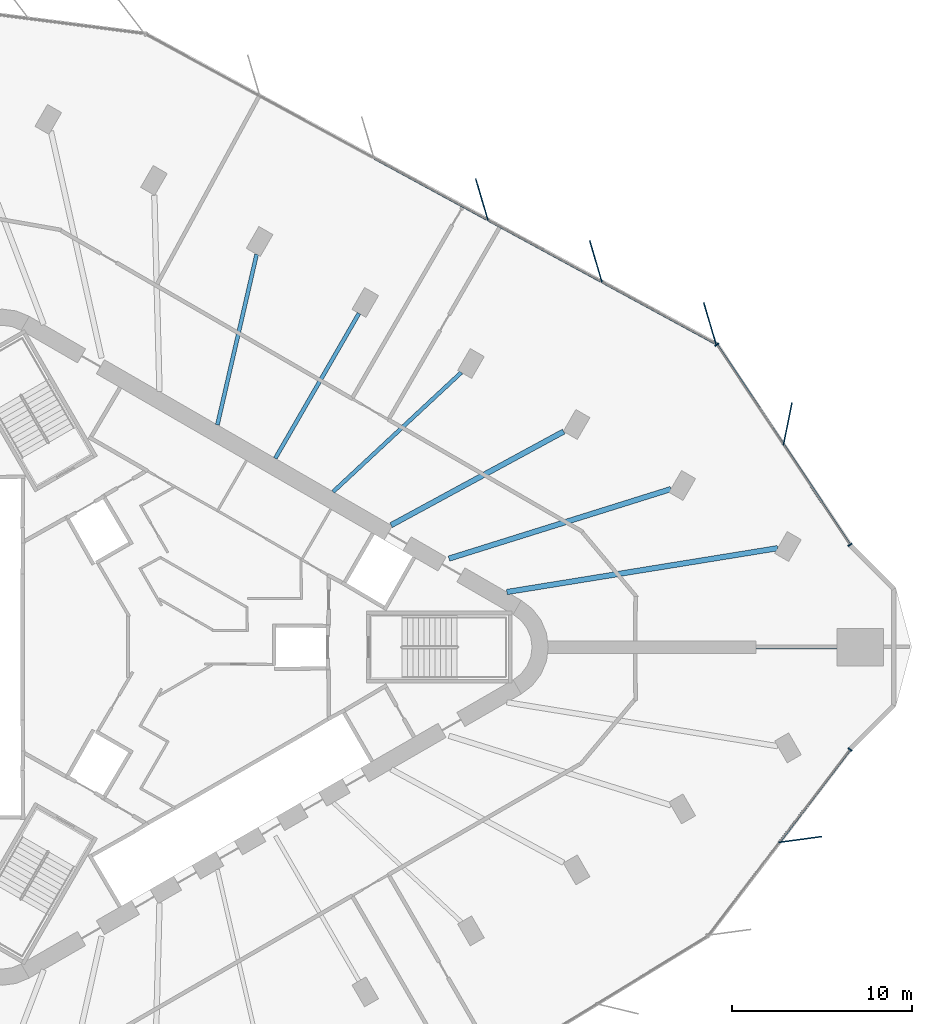
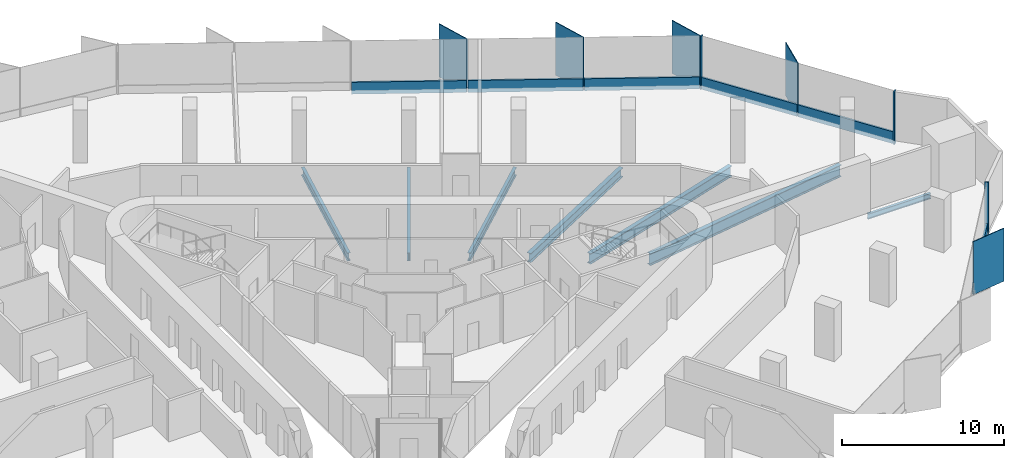
# One storey, part 5 of 14: 14 members, 7 beams, 3 elements without a shape of their own.
"""IFC4 building model written with IfcOpenShell, lengths in metres."""

from ifc_helpers import new_model, si_unit, direction, frame, origin, origin_2d, place, context, subcontext, project, spatial, rectangle, i_section, extrude, material, material_profile, profile_set, type_object, element, aggregate, save


model = new_model("IFC4")

# Units and contexts
model_context = context("Model", 3, precision=1e-05, world=origin(), true_north=direction((0.0, 1.0)))
body_context = subcontext(model_context, "Body", "Model", "MODEL_VIEW")
ifc_project = project(units=[si_unit("LENGTHUNIT", "METRE"), si_unit("AREAUNIT", "SQUARE_METRE"), si_unit("VOLUMEUNIT", "CUBIC_METRE"), si_unit("PLANEANGLEUNIT", "RADIAN"), si_unit("MASSUNIT", "GRAM", prefix="KILO")], contexts=[model_context])

# Site, building, storey
site_placement = place(None, origin())
site = spatial("IfcSite", under=ifc_project, at=site_placement, CompositionType="ELEMENT")
building_placement = place(site_placement, origin())
building = spatial("IfcBuilding", under=site, at=building_placement, Name="Tanit Gate Tower", CompositionType="ELEMENT")
storey_placement = place(building_placement, frame((0.0, 0.0, 225.199951171875)))
storey = spatial("IfcBuildingStorey", under=building, at=storey_placement, Name="L50", CompositionType="ELEMENT", Elevation=225.199951171875)

# Curtain wall, member
ifc_material_1 = material(Name="Aluminium bronze anodised and glass", Category="aluminium")
curtain_wall_type = type_object("IfcCurtainWallType", Name="Curtain wall typical mid", PredefinedType="NOTDEFINED", material=ifc_material_1)
curtain_wall_1_placement = place(storey_placement, origin())
curtain_wall_1 = element("IfcCurtainWall", 1, at=curtain_wall_1_placement, inside=storey, type_object=curtain_wall_type, Name="Curtain wall L50 NE1", PredefinedType="NOTDEFINED")
ifc_material_2 = material(Name="Aluminium bronze anodised", Category="aluminium")
ifc_material_profile_1 = material_profile(ifc_material_2, rectangle(XDim=2.39990234375, YDim=0.055908203125, at=origin_2d()), Name="56x2400 bronze fin mullion")
ifc_profile_set_1 = profile_set([ifc_material_profile_1], Name="Aluminium bronze anodised")
member_type_1 = type_object("IfcMemberType", Name="FIN MULLION 56x2400 bronze", PredefinedType="MULLION", material=ifc_profile_set_1)
member_1_placement = place(storey_placement, frame((34.483642578125, 12.392333984375, -0.300048828125), z_axis=(0.0, 0.0, 1.0), x_axis=(-0.19729527251, -0.980344110731, 0.0)))
member_1 = element("IfcMember", 2, at=member_1_placement, type_object=member_type_1, Name="Fin mullion L50 NE1.2", PredefinedType="MULLION", context=body_context, shape_type="SweptSolid", body=[
    extrude(rectangle(XDim=2.39990234375, YDim=0.055908203125, at=origin_2d()), origin(), (0.0, 0.0, 1.0), 4.0),
])

# Curtain wall, members
curtain_wall_2_placement = place(storey_placement, origin())
curtain_wall_2 = element("IfcCurtainWall", 3, at=curtain_wall_2_placement, inside=storey, type_object=curtain_wall_type, Name="Curtain wall L50 NE2", PredefinedType="NOTDEFINED")
member_2_placement = place(storey_placement, frame((30.165771484375, 17.973876953125, -0.300048828125), z_axis=(0.0, 0.0, 1.0), x_axis=(0.283905588939, -0.958852239174, 0.0)))
member_2 = element("IfcMember", 4, at=member_2_placement, type_object=member_type_1, Name="Fin mullion L50 NE2.1", PredefinedType="MULLION", context=body_context, shape_type="SweptSolid", body=[
    extrude(rectangle(XDim=2.39990234375, YDim=0.055908203125, at=origin_2d()), origin(), (0.0, 0.0, 1.0), 4.0),
])
member_3_placement = place(storey_placement, frame((23.8388671875, 21.409912109375, -0.300048828125), z_axis=(0.0, 0.0, 1.0), x_axis=(0.283905588939, -0.958852239174, 0.0)))
member_3 = element("IfcMember", 5, at=member_3_placement, type_object=member_type_1, Name="Fin mullion L50 NE2.2", PredefinedType="MULLION", context=body_context, shape_type="SweptSolid", body=[
    extrude(rectangle(XDim=2.39990234375, YDim=0.055908203125, at=origin_2d()), origin(), (0.0, 0.0, 1.0), 4.0),
])
member_4_placement = place(storey_placement, frame((17.51220703125, 24.845947265625, -0.300048828125), z_axis=(0.0, 0.0, 1.0), x_axis=(0.283905588939, -0.958852239174, 0.0)))
member_4 = element("IfcMember", 6, at=member_4_placement, type_object=member_type_1, Name="Fin mullion L50 NE2.3", PredefinedType="MULLION", context=body_context, shape_type="SweptSolid", body=[
    extrude(rectangle(XDim=2.39990234375, YDim=0.055908203125, at=origin_2d()), origin(), (0.0, 0.0, 1.0), 4.0),
])

# Curtain wall, member
curtain_wall_3_placement = place(storey_placement, origin())
curtain_wall_3 = element("IfcCurtainWall", 7, at=curtain_wall_3_placement, inside=storey, type_object=curtain_wall_type, Name="Curtain wall L50 SE3", PredefinedType="NOTDEFINED")
member_5_placement = place(storey_placement, frame((35.18603515625, -10.67041015625, -0.300048828125), z_axis=(0.0, 0.0, 1.0), x_axis=(-0.991049134388, -0.133497615066, 0.0)))
member_5 = element("IfcMember", 8, at=member_5_placement, type_object=member_type_1, Name="Fin mullion L50 SE3.2", PredefinedType="MULLION", context=body_context, shape_type="SweptSolid", body=[
    extrude(rectangle(XDim=2.39990234375, YDim=0.055908203125, at=origin_2d()), origin(), (0.0, 0.0, 1.0), 4.0),
])

# Member
ifc_material_3 = material(Name="Aluminium bronze anodised", Category="aluminium")
ifc_material_profile_2 = material_profile(ifc_material_3, rectangle(XDim=0.260009765625, YDim=0.080078125, at=origin_2d()), Name="80x260 bronze mullion")
ifc_profile_set_2 = profile_set([ifc_material_profile_2], Name="Aluminium bronze anodised")
member_type_2 = type_object("IfcMemberType", Name="Mullion 80x260 typical mid", PredefinedType="MULLION", material=ifc_profile_set_2)
member_6_placement = place(storey_placement, frame((37.9443359375, 5.68212890625, -0.300048828125), z_axis=(0.0, 0.0, 1.0), x_axis=(-0.832716793682, -0.553699143506, 0.0)))
member_6 = element("IfcMember", 9, at=member_6_placement, type_object=member_type_2, Name="Mullion L50 NE1.1", PredefinedType="MULLION", context=body_context, shape_type="SweptSolid", body=[
    extrude(rectangle(XDim=0.260009765625, YDim=0.080078125, at=origin_2d()), origin(), (0.0, 0.0, 1.0), 4.0),
])

member_7_placement = place(storey_placement, frame((30.5576171875, 16.791259765625, -0.300048828125), z_axis=(0.0, 0.0, 1.0), x_axis=(-0.832716793682, -0.553699143506, 0.0)))
member_7 = element("IfcMember", 10, at=member_7_placement, type_object=member_type_2, Name="Mullion L50 NE1.3", PredefinedType="MULLION", context=body_context, shape_type="SweptSolid", body=[
    extrude(rectangle(XDim=0.260009765625, YDim=0.080078125, at=origin_2d()), origin(), (0.0, 0.0, 1.0), 4.0),
])

member_8_placement = place(storey_placement, frame((37.945068359375, -5.677734375, -0.300048828125), z_axis=(0.0, 0.0, 1.0), x_axis=(-0.7951746323, 0.60638049453, 0.0)))
member_8 = element("IfcMember", 11, at=member_8_placement, type_object=member_type_2, Name="Mullion L50 SE3.3", PredefinedType="MULLION", context=body_context, shape_type="SweptSolid", body=[
    extrude(rectangle(XDim=0.260009765625, YDim=0.080078125, at=origin_2d()), origin(), (0.0, 0.0, 1.0), 4.0),
])

# Beams
ifc_material_4 = material(Name="Steel S355", Category="steel")
ifc_material_profile_3 = material_profile(ifc_material_4, i_section(OverallWidth=0.300048828125, OverallDepth=0.68994140625, WebThickness=0.014404296875, FlangeThickness=0.027099609375, FilletRadius=0.027099609375, at=origin_2d()), Name="HEA 700")
ifc_profile_set_3 = profile_set([ifc_material_profile_3], Name="Steel S355")
beam_type_1 = type_object("IfcBeamType", Name="RADIAL GIRDER HEA 700 S355", PredefinedType="BEAM", material=ifc_profile_set_3)
beam_1_placement = place(storey_placement, frame((22.050048828125, 11.96630859375, -0.64501953125), z_axis=(-0.878919746534, -0.476969683683, 0.0), x_axis=(0.476969683683, -0.878919746534, 0.0)))
element("IfcBeam", 12, at=beam_1_placement, inside=storey, type_object=beam_type_1, Name="RADIAL GIRDER", PredefinedType="BEAM", context=body_context, shape_type="SweptSolid", body=[
    extrude(i_section(OverallWidth=0.300048828125, OverallDepth=0.68994140625, WebThickness=0.014404296875, FlangeThickness=0.027099609375, FilletRadius=0.027099609375, at=origin_2d()), origin(), (0.0, 0.0, 1.0), 10.892333984375),
])
ifc_material_5 = material(Name="Steel S355", Category="steel")
ifc_material_profile_4 = material_profile(ifc_material_5, i_section(OverallWidth=0.300048828125, OverallDepth=0.7900390625, WebThickness=0.014892578125, FlangeThickness=0.028076171875, FilletRadius=0.030029296875, at=origin_2d()), Name="HEA 800")
ifc_profile_set_4 = profile_set([ifc_material_profile_4], Name="Steel S355")
beam_type_2 = type_object("IfcBeamType", Name="RADIAL GIRDER HEA 800 S355", PredefinedType="BEAM", material=ifc_profile_set_4)
beam_2_placement = place(storey_placement, frame((28.001220703125, 8.773681640625, -0.695068359375), z_axis=(-0.954253776397, -0.298997876635, 0.0), x_axis=(0.298997876635, -0.954253776397, 0.0)))
element("IfcBeam", 13, at=beam_2_placement, inside=storey, type_object=beam_type_2, Name="RADIAL GIRDER", PredefinedType="BEAM", context=body_context, shape_type="SweptSolid", body=[
    extrude(i_section(OverallWidth=0.300048828125, OverallDepth=0.7900390625, WebThickness=0.014892578125, FlangeThickness=0.028076171875, FilletRadius=0.030029296875, at=origin_2d()), origin(), (0.0, 0.0, 1.0), 12.902099609375),
])
ifc_material_6 = material(Name="Steel S355", Category="steel")
ifc_material_profile_5 = material_profile(ifc_material_6, i_section(OverallWidth=0.300048828125, OverallDepth=0.889892578125, WebThickness=0.01611328125, FlangeThickness=0.030029296875, FilletRadius=0.030029296875, at=origin_2d()), Name="HEA 900")
ifc_profile_set_5 = profile_set([ifc_material_profile_5], Name="Steel S355")
beam_type_3 = type_object("IfcBeamType", Name="RADIAL GIRDER HEA 900 S355", PredefinedType="BEAM", material=ifc_profile_set_5)
beam_3_placement = place(storey_placement, frame((33.92626953125, 5.494140625, -0.744873046875), z_axis=(-0.987139158822, -0.159863320119, 0.0), x_axis=(0.159863320119, -0.987139158822, 0.0)))
element("IfcBeam", 14, at=beam_3_placement, inside=storey, type_object=beam_type_3, Name="RADIAL GIRDER", PredefinedType="BEAM", context=body_context, shape_type="SweptSolid", body=[
    extrude(i_section(OverallWidth=0.300048828125, OverallDepth=0.889892578125, WebThickness=0.01611328125, FlangeThickness=0.030029296875, FilletRadius=0.030029296875, at=origin_2d()), origin(), (0.0, 0.0, 1.0), 15.219970703125),
])
ifc_material_7 = material(Name="Steel S355", Category="steel")
ifc_material_profile_6 = material_profile(ifc_material_7, i_section(OverallWidth=0.179931640625, OverallDepth=0.39990234375, WebThickness=0.008544921875, FlangeThickness=0.013427734375, FilletRadius=0.02099609375, at=origin_2d()), Name="IPE 400")
ifc_profile_set_6 = profile_set([ifc_material_profile_6], Name="Steel S355")
beam_type_4 = type_object("IfcBeamType", Name="RADIAL GIRDER IPE 400 S355", PredefinedType="BEAM", material=ifc_profile_set_6)
beam_4_placement = place(storey_placement, frame((37.21533203125, 0.0, -0.5), z_axis=(-1.0, 0.0, 0.0), x_axis=(0.0, -1.0, 0.0)))
element("IfcBeam", 15, at=beam_4_placement, inside=storey, type_object=beam_type_4, Name="RADIAL GIRDER", PredefinedType="BEAM", context=body_context, shape_type="SweptSolid", body=[
    extrude(i_section(OverallWidth=0.179931640625, OverallDepth=0.39990234375, WebThickness=0.008544921875, FlangeThickness=0.013427734375, FilletRadius=0.02099609375, at=origin_2d()), origin(), (0.0, 0.0, 1.0), 4.484375),
])
ifc_material_8 = material(Name="Steel S355", Category="steel")
ifc_material_profile_7 = material_profile(ifc_material_8, i_section(OverallWidth=0.219970703125, OverallDepth=0.60009765625, WebThickness=0.011962890625, FlangeThickness=0.01904296875, FilletRadius=0.02392578125, at=origin_2d()), Name="IPE 600")
ifc_profile_set_7 = profile_set([ifc_material_profile_7], Name="Steel S355")
beam_type_5 = type_object("IfcBeamType", Name="RADIAL GIRDER IPE 600 S355", PredefinedType="BEAM", material=ifc_profile_set_7)
beam_5_placement = place(storey_placement, frame((16.3720703125, 15.244384765625, -0.599853515625), z_axis=(-0.731857228845, -0.681457993267, 0.0), x_axis=(0.681457993267, -0.731857228845, 0.0)))
element("IfcBeam", 16, at=beam_5_placement, inside=storey, type_object=beam_type_5, Name="RADIAL GIRDER", PredefinedType="BEAM", context=body_context, shape_type="SweptSolid", body=[
    extrude(i_section(OverallWidth=0.219970703125, OverallDepth=0.60009765625, WebThickness=0.011962890625, FlangeThickness=0.01904296875, FilletRadius=0.02392578125, at=origin_2d()), origin(), (0.0, 0.0, 1.0), 9.71240234375),
])
beam_6_placement = place(storey_placement, frame((10.694091796875, 18.522705078125, -0.599853515625), z_axis=(-0.500001619514, -0.866024468756, 0.0), x_axis=(0.866024468756, -0.500001619514, 0.0)))
element("IfcBeam", 17, at=beam_6_placement, inside=storey, type_object=beam_type_5, Name="RADIAL GIRDER", PredefinedType="BEAM", context=body_context, shape_type="SweptSolid", body=[
    extrude(i_section(OverallWidth=0.219970703125, OverallDepth=0.60009765625, WebThickness=0.011962890625, FlangeThickness=0.01904296875, FilletRadius=0.02392578125, at=origin_2d()), origin(), (0.0, 0.0, 1.0), 9.2861328125),
])
beam_7_placement = place(storey_placement, frame((5.01611328125, 21.80078125, -0.599853515625), z_axis=(-0.224240798092, -0.974533767743, 0.0), x_axis=(0.974533767743, -0.224240798092, 0.0)))
element("IfcBeam", 18, at=beam_7_placement, inside=storey, type_object=beam_type_5, Name="RADIAL GIRDER", PredefinedType="BEAM", context=body_context, shape_type="SweptSolid", body=[
    extrude(i_section(OverallWidth=0.219970703125, OverallDepth=0.60009765625, WebThickness=0.011962890625, FlangeThickness=0.01904296875, FilletRadius=0.02392578125, at=origin_2d()), origin(), (0.0, 0.0, 1.0), 9.712646484375),
])

# Member
ifc_material_9 = material(Name="Aluminium bronze anodised", Category="aluminium")
ifc_material_profile_8 = material_profile(ifc_material_9, rectangle(XDim=0.139892578125, YDim=0.89990234375, at=origin_2d()), Name="140x900 bronze transom")
ifc_profile_set_8 = profile_set([ifc_material_profile_8], Name="Aluminium bronze anodised")
member_type_3 = type_object("IfcMemberType", Name="Transom 140x900 typical mid", PredefinedType="USERDEFINED", material=ifc_profile_set_8)
member_9_placement = place(storey_placement, frame((37.92236328125, 5.71533203125, 0.150146484375), z_axis=(-0.553699602153, 0.832716488714, 0.0), x_axis=(-0.832716488714, -0.553699602153, 0.0)))
member_9 = element("IfcMember", 19, at=member_9_placement, type_object=member_type_3, Name="Transom L50 NE1.1", ObjectType="TRANSOM", PredefinedType="USERDEFINED", context=body_context, shape_type="SweptSolid", body=[
    extrude(rectangle(XDim=0.139892578125, YDim=0.89990234375, at=origin_2d()), origin(), (0.0, 0.0, 1.0), 6.590576171875),
])

member_10_placement = place(storey_placement, frame((34.22900390625, 11.27001953125, 0.150146484375), z_axis=(-0.553716682709, 0.832705131058, 0.0), x_axis=(-0.832705131058, -0.553716682709, 0.0)))
member_10 = element("IfcMember", 20, at=member_10_placement, type_object=member_type_3, Name="Transom L50 NE1.2", ObjectType="TRANSOM", PredefinedType="USERDEFINED", context=body_context, shape_type="SweptSolid", body=[
    extrude(rectangle(XDim=0.139892578125, YDim=0.89990234375, at=origin_2d()), origin(), (0.0, 0.0, 1.0), 6.59033203125),
])

aggregate(curtain_wall_1, [member_6, member_1, member_7, member_9, member_10])

member_11_placement = place(storey_placement, frame((30.46533203125, 16.862548828125, 0.150146484375), z_axis=(-0.878764273832, 0.477256064432, 0.0), x_axis=(-0.477256064432, -0.878764273832, 0.0)))
member_11 = element("IfcMember", 21, at=member_11_placement, type_object=member_type_3, Name="Transom L50 NE2.1", ObjectType="TRANSOM", PredefinedType="USERDEFINED", context=body_context, shape_type="SweptSolid", body=[
    extrude(rectangle(XDim=0.139892578125, YDim=0.89990234375, at=origin_2d()), origin(), (0.0, 0.0, 1.0), 7.119873046875),
])

member_12_placement = place(storey_placement, frame((24.138427734375, 20.298828125, 0.150146484375), z_axis=(-0.878770844888, 0.477243965048, 0.0), x_axis=(-0.477243965048, -0.878770844888, 0.0)))
member_12 = element("IfcMember", 22, at=member_12_placement, type_object=member_type_3, Name="Transom L50 NE2.2", ObjectType="TRANSOM", PredefinedType="USERDEFINED", context=body_context, shape_type="SweptSolid", body=[
    extrude(rectangle(XDim=0.139892578125, YDim=0.89990234375, at=origin_2d()), origin(), (0.0, 0.0, 1.0), 7.119384765625),
])

member_13_placement = place(storey_placement, frame((17.811767578125, 23.73486328125, 0.150146484375), z_axis=(-0.878770844888, 0.477243965048, 0.0), x_axis=(-0.477243965048, -0.878770844888, 0.0)))
member_13 = element("IfcMember", 23, at=member_13_placement, type_object=member_type_3, Name="Transom L50 NE2.3", ObjectType="TRANSOM", PredefinedType="USERDEFINED", context=body_context, shape_type="SweptSolid", body=[
    extrude(rectangle(XDim=0.139892578125, YDim=0.89990234375, at=origin_2d()), origin(), (0.0, 0.0, 1.0), 7.119384765625),
])

aggregate(curtain_wall_2, [member_2, member_3, member_4, member_11, member_12, member_13])

member_14_placement = place(storey_placement, frame((34.042236328125, -10.7958984375, 0.150146484375), z_axis=(0.606387006, 0.795169666772, 0.0), x_axis=(-0.795169666772, 0.606387006, 0.0)))
member_14 = element("IfcMember", 24, at=member_14_placement, type_object=member_type_3, Name="Transom L50 SE3.2", ObjectType="TRANSOM", PredefinedType="USERDEFINED", context=body_context, shape_type="SweptSolid", body=[
    extrude(rectangle(XDim=0.139892578125, YDim=0.89990234375, at=origin_2d()), origin(), (0.0, 0.0, 1.0), 6.396240234375),
])

aggregate(curtain_wall_3, [member_5, member_8, member_14])

save(model, "model.ifc")
